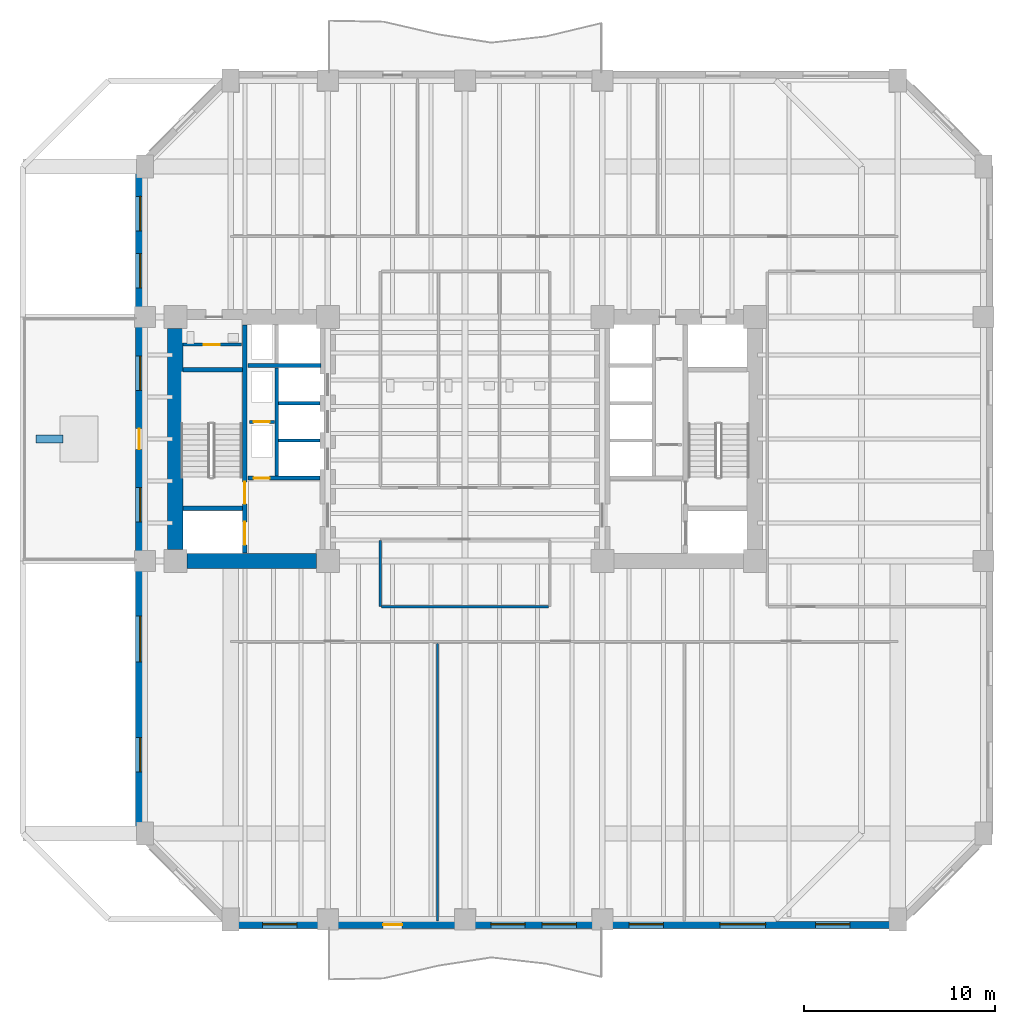
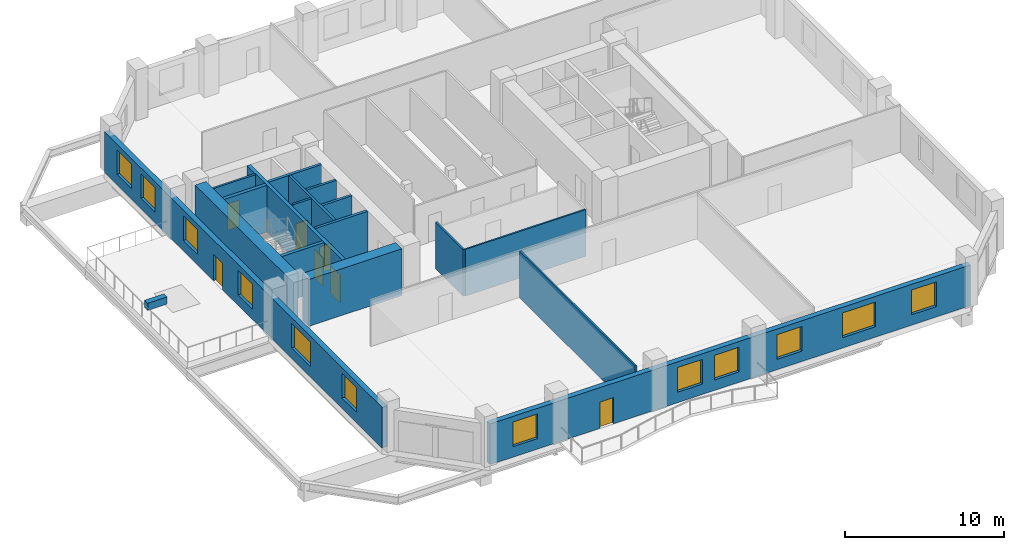
# One storey, part 3 of 11: 18 walls, 12 windows, 7 doors, 19 openings.
"""IFC4 building model written with IfcOpenShell, lengths in metres."""

import ifcopenshell
import ifcopenshell.guid

model = None  # the IFC model being written
_history = None  # IfcOwnerHistory: only IFC2X3 demands one
_inside = {}  # id of a spatial element -> (the spatial element, [elements in it])
_under = {}  # id of a project, library or spatial element -> (it, [spatial elements below it])
_declared = {}  # id of a project -> (the project, [libraries it declares])
_typed = {}  # id of a type object -> (the type object, [elements of that type])
_made_of = {}  # id of a material, layer set ... -> (it, [elements and type objects made of it])


def new_model(schema):
    """Start an empty IFC model of exactly this schema.

    Asked for "IFC4X3", IfcOpenShell would pick the latest addendum, in which some entities
    have other attributes; the version numbers below select the first issue.
    IFC2X3 requires an IfcOwnerHistory on every rooted entity: one is made here for all.
    """
    global model, _history
    if schema == "IFC4X3":
        model = ifcopenshell.file(schema_version=(4, 3, 0, 0))
    else:
        model = ifcopenshell.file(schema=schema)
    _inside.clear()
    _under.clear()
    _declared.clear()
    _typed.clear()
    _made_of.clear()
    _history = None
    if model.schema == "IFC2X3":
        org = make("IfcOrganization", Name="unknown")
        user = make(
            "IfcPersonAndOrganization",
            ThePerson=make("IfcPerson", FamilyName="unknown"),
            TheOrganization=org,
        )
        app = make(
            "IfcApplication",
            ApplicationDeveloper=org,
            Version="unknown",
            ApplicationFullName="unknown",
            ApplicationIdentifier="unknown",
        )
        _history = make(
            "IfcOwnerHistory",
            OwningUser=user,
            OwningApplication=app,
            ChangeAction="ADDED",
            CreationDate=0,
        )
    return model


def make(cls, **values):
    """One entity of the class cls with the attributes given. An attribute that is None is left unset."""
    return model.create_entity(
        cls, **{name: value for name, value in values.items() if value is not None}
    )


def rooted(cls, **values):
    """An entity with a GlobalId (a new one), such as an element, a storey or a relation."""
    return make(cls, GlobalId=ifcopenshell.guid.new(), OwnerHistory=_history, **values)


def si_unit(unit_type, name, prefix=None):
    """IfcSIUnit, for example si_unit("LENGTHUNIT", "METRE", prefix="MILLI")."""
    return make("IfcSIUnit", UnitType=unit_type, Prefix=prefix, Name=name)


def assignment(units):
    """IfcUnitAssignment: the units of a project."""
    return None if units is None else make("IfcUnitAssignment", Units=units)


def point(xyz):
    """IfcCartesianPoint."""
    return None if xyz is None else make("IfcCartesianPoint", Coordinates=xyz)


def direction(xyz):
    """IfcDirection."""
    return None if xyz is None else make("IfcDirection", DirectionRatios=xyz)


def frame(location, z_axis=None, x_axis=None):
    """IfcAxis2Placement3D, a coordinate frame: its origin and axes. An axis left out is left unset."""
    return make(
        "IfcAxis2Placement3D",
        Location=point(location),
        Axis=direction(z_axis),
        RefDirection=direction(x_axis),
    )


def frame_2d(location, x_axis=None):
    """IfcAxis2Placement2D, a coordinate frame in the plane: its origin and x axis."""
    return make(
        "IfcAxis2Placement2D", Location=point(location), RefDirection=direction(x_axis)
    )


def origin():
    """The frame at (0, 0, 0) with its axes left unset."""
    return frame((0.0, 0.0, 0.0))


def place(relative_to, where):
    """IfcLocalPlacement: puts the frame where relative to a parent placement (None: the world)."""
    return make(
        "IfcLocalPlacement", PlacementRelTo=relative_to, RelativePlacement=where
    )


def context(
    kind, dimensions, precision=None, world=None, true_north=None, identifier=None
):
    """IfcGeometricRepresentationContext, for example the 3D "Model" context."""
    return make(
        "IfcGeometricRepresentationContext",
        ContextIdentifier=identifier,
        ContextType=kind,
        CoordinateSpaceDimension=dimensions,
        Precision=precision,
        WorldCoordinateSystem=world,
        TrueNorth=true_north,
    )


def subcontext(parent, identifier, kind, view, scale=None):
    """IfcGeometricRepresentationSubContext, for example "Body" below "Model"."""
    return make(
        "IfcGeometricRepresentationSubContext",
        ContextIdentifier=identifier,
        ContextType=kind,
        ParentContext=parent,
        TargetScale=scale,
        TargetView=view,
    )


def project(units=None, contexts=None):
    """IfcProject with its units and contexts."""
    return rooted(
        "IfcProject",
        Name="project",
        RepresentationContexts=contexts,
        UnitsInContext=assignment(units),
    )


def spatial(cls, under=None, at=None, **own):
    """A site, building, storey or space (cls), placed at a placement, below another one or the project."""
    s = rooted(cls, ObjectPlacement=at, **own)
    if under is not None:
        _under.setdefault(under.id(), (under, []))[1].append(s)
    return s


def profile(cls, at=None, kind="AREA", **sizes):
    """A parametric profile (cls). Its sizes go by their IFC names, for example OverallWidth=200.0."""
    return make(cls, ProfileType=kind, Position=at, **sizes)


def rectangle(**sizes):
    """IfcRectangleProfileDef."""
    return profile("IfcRectangleProfileDef", **sizes)


def extrude(swept, where, along, depth):
    """IfcExtrudedAreaSolid: the profile swept, set in the frame where, extruded along a direction by depth."""
    return make(
        "IfcExtrudedAreaSolid",
        SweptArea=swept,
        Position=where,
        ExtrudedDirection=direction(along),
        Depth=depth,
    )


def shape(context_of_items, identifier, shape_type, items):
    """IfcShapeRepresentation: the items that make up one representation, for example the "Body"."""
    return make(
        "IfcShapeRepresentation",
        ContextOfItems=context_of_items,
        RepresentationIdentifier=identifier,
        RepresentationType=shape_type,
        Items=items,
    )


def material(Name=None, Category=None):
    """IfcMaterial."""
    return make("IfcMaterial", Name=Name, Category=Category)


def layer(
    of_material, thickness, ventilated=None, Name=None, Category=None, Priority=None
):
    """IfcMaterialLayer: one layer of a wall or slab, of a material (None: an air gap)."""
    return make(
        "IfcMaterialLayer",
        Material=of_material,
        LayerThickness=thickness,
        IsVentilated=ventilated,
        Name=Name,
        Category=Category,
        Priority=Priority,
    )


def layer_set(layers, Name=None):
    """IfcMaterialLayerSet."""
    return make("IfcMaterialLayerSet", MaterialLayers=layers, LayerSetName=Name)


def made_of(thing, what):
    """Note that an element or type object is made of a material, layer set ...; save() writes the relation."""
    if what is not None:
        _made_of.setdefault(what.id(), (what, []))[1].append(thing)
    return thing


def type_object(cls, material=None, **own):
    """A type object (cls), such as IfcWallType, which elements share."""
    return made_of(rooted(cls, **own), material)


def element(
    cls,
    number,
    at=None,
    inside=None,
    cuts=None,
    type_object=None,
    material=None,
    context=None,
    identifier="Body",
    shape_type=None,
    held_by="IfcProductDefinitionShape",
    body=None,
    shapes=None,
    **own,
):
    """One element of the class cls, such as IfcWall. Its Tag is "e" and its number.

    at: its placement. inside: the storey or other place that contains it. cuts: it is an
    opening in that element (IfcRelVoidsElement). A single representation is given by context,
    identifier, shape_type and body (its items); several are given by shapes. held_by: the class
    of the entity that holds the representations. save() writes the other relations.
    """
    e = rooted(cls, Tag="e%d" % number, ObjectPlacement=at, **own)
    if body is not None:
        shapes = [shape(context, identifier, shape_type, body)]
    if shapes is not None:
        e.Representation = make(held_by, Representations=shapes)
    if inside is not None:
        _inside.setdefault(inside.id(), (inside, []))[1].append(e)
    if cuts is not None:
        rooted(
            "IfcRelVoidsElement", RelatingBuildingElement=cuts, RelatedOpeningElement=e
        )
    if type_object is not None:
        _typed.setdefault(type_object.id(), (type_object, []))[1].append(e)
    return made_of(e, material)


def fill(opening, filler):
    """IfcRelFillsElement: the door or window that sits in an opening."""
    return rooted(
        "IfcRelFillsElement",
        RelatingOpeningElement=opening,
        RelatedBuildingElement=filler,
    )


def aggregate(whole, parts):
    """IfcRelAggregates: a whole, such as a stair, and the parts it consists of."""
    return rooted("IfcRelAggregates", RelatingObject=whole, RelatedObjects=parts)


def save(model, path):
    """Write the relations noted so far, then the file.

    IfcRelAggregates (storeys below a building ...), IfcRelContainedInSpatialStructure (elements
    in a storey), IfcRelDefinesByType, IfcRelAssociatesMaterial and IfcRelDeclares: one each for
    every whole, place, type object, material and project.
    """
    for whole, parts in _under.values():
        aggregate(whole, parts)
    for where, things in _inside.values():
        rooted(
            "IfcRelContainedInSpatialStructure",
            RelatedElements=things,
            RelatingStructure=where,
        )
    for kind, things in _typed.values():
        rooted("IfcRelDefinesByType", RelatedObjects=things, RelatingType=kind)
    for what, things in _made_of.values():
        rooted("IfcRelAssociatesMaterial", RelatedObjects=things, RelatingMaterial=what)
    for by, libraries in _declared.values():
        rooted("IfcRelDeclares", RelatingContext=by, RelatedDefinitions=libraries)
    model.write(path)


model = new_model("IFC4")

# Units and contexts
model_context = context("Model", 3, precision=1e-05, world=origin(), true_north=direction((0.0, 1.0)))
body_context = subcontext(model_context, "Body", "Model", "MODEL_VIEW")
ifc_project = project(units=[si_unit("LENGTHUNIT", "METRE"), si_unit("AREAUNIT", "SQUARE_METRE"), si_unit("VOLUMEUNIT", "CUBIC_METRE"), si_unit("PLANEANGLEUNIT", "RADIAN"), si_unit("MASSUNIT", "GRAM", prefix="KILO")], contexts=[model_context])

# Site, building, storey
site_placement = place(None, origin())
site = spatial("IfcSite", under=ifc_project, at=site_placement, CompositionType="ELEMENT")
building_placement = place(site_placement, origin())
building = spatial("IfcBuilding", under=site, at=building_placement, Name="Kranthara Brick Stack", CompositionType="ELEMENT")
storey_placement = place(building_placement, frame((0.0, 0.0, 47.699951171875)))
storey = spatial("IfcBuildingStorey", under=building, at=storey_placement, Name="L11", CompositionType="ELEMENT", Elevation=47.699951171875)

# Wall, openings, door, windows
ifc_material_1 = material(Name="Kiln-fired clay brick masonry M15", Category="masonry")
ifc_layer_1 = layer(ifc_material_1, 0.3798828125)
ifc_layer_set_1 = layer_set([ifc_layer_1], Name="Kiln-fired clay brick masonry M15")
wall_type_1 = type_object("IfcWallType", Name="WL-BRK-PIER-380", PredefinedType="STANDARD", material=ifc_layer_set_1)
wall_1_placement = place(storey_placement, frame((50.699951171875, 1.7099609375, 0.0), z_axis=(0.0, 0.0, 1.0), x_axis=(-1.0, 0.0, 0.0)))
wall_1 = element("IfcWall", 1, at=wall_1_placement, inside=storey, type_object=wall_type_1, Name="L11 Exterior Brick Facade Wall SOUTH 1", PredefinedType="STANDARD", context=body_context, shape_type="SweptSolid", body=[
    extrude(rectangle(XDim=35.0, YDim=0.3798828125, at=frame_2d((17.5, 0.0))), origin(), (0.0, 0.0, 1.0), 3.135009765625),
])
opening_1_placement = place(wall_1_placement, frame((26.0, 0.0, 0.0)))
opening_1 = element("IfcOpeningElement", 2, at=opening_1_placement, cuts=wall_1, Name="Opening D03", PredefinedType="OPENING", context=body_context, shape_type="SweptSolid", body=[
    extrude(rectangle(XDim=1.0, YDim=2.02001953125, at=frame_2d((0.5, 1.010009765625))), frame((0.0, 0.199951171875, 0.0), z_axis=(0.0, -1.0, 0.0), x_axis=(1.0, 0.0, 0.0)), (0.0, 0.0, 1.0), 0.39990234375),
])
opening_2_placement = place(wall_1_placement, frame((2.510986328125, 0.0, 0.800048828125)))
opening_2 = element("IfcOpeningElement", 3, at=opening_2_placement, cuts=wall_1, Name="Opening WN01", PredefinedType="OPENING", context=body_context, shape_type="SweptSolid", body=[
    extrude(rectangle(XDim=1.800048828125, YDim=1.89990234375, at=frame_2d((0.89990234375, 0.949951171875))), frame((0.0, 0.199951171875, 0.0), z_axis=(0.0, -1.0, 0.0), x_axis=(1.0, 0.0, 0.0)), (0.0, 0.0, 1.0), 0.39990234375),
])
opening_3_placement = place(wall_1_placement, frame((6.93896484375, 0.0, 0.800048828125)))
opening_3 = element("IfcOpeningElement", 4, at=opening_3_placement, cuts=wall_1, Name="Opening WN02", PredefinedType="OPENING", context=body_context, shape_type="SweptSolid", body=[
    extrude(rectangle(XDim=2.39990234375, YDim=1.89990234375, at=frame_2d((1.199951171875, 0.949951171875))), frame((0.0, 0.199951171875, 0.0), z_axis=(0.0, -1.0, 0.0), x_axis=(1.0, 0.0, 0.0)), (0.0, 0.0, 1.0), 0.39990234375),
])
opening_4_placement = place(wall_1_placement, frame((12.300048828125, 0.0, 0.800048828125)))
opening_4 = element("IfcOpeningElement", 5, at=opening_4_placement, cuts=wall_1, Name="Opening WN01", PredefinedType="OPENING", context=body_context, shape_type="SweptSolid", body=[
    extrude(rectangle(XDim=1.800048828125, YDim=1.89990234375, at=frame_2d((0.89990234375, 0.949951171875))), frame((0.0, 0.199951171875, 0.0), z_axis=(0.0, -1.0, 0.0), x_axis=(1.0, 0.0, 0.0)), (0.0, 0.0, 1.0), 0.39990234375),
])
opening_5_placement = place(wall_1_placement, frame((16.85595703125, 0.0, 0.800048828125)))
opening_5 = element("IfcOpeningElement", 6, at=opening_5_placement, cuts=wall_1, Name="Opening WN01", PredefinedType="OPENING", context=body_context, shape_type="SweptSolid", body=[
    extrude(rectangle(XDim=1.800048828125, YDim=1.89990234375, at=frame_2d((0.89990234375, 0.949951171875))), frame((0.0, 0.199951171875, 0.0), z_axis=(0.0, -1.0, 0.0), x_axis=(1.0, 0.0, 0.0)), (0.0, 0.0, 1.0), 0.39990234375),
])
opening_6_placement = place(wall_1_placement, frame((19.5439453125, 0.0, 0.800048828125)))
opening_6 = element("IfcOpeningElement", 7, at=opening_6_placement, cuts=wall_1, Name="Opening WN01", PredefinedType="OPENING", context=body_context, shape_type="SweptSolid", body=[
    extrude(rectangle(XDim=1.800048828125, YDim=1.89990234375, at=frame_2d((0.89990234375, 0.949951171875))), frame((0.0, 0.199951171875, 0.0), z_axis=(0.0, -1.0, 0.0), x_axis=(1.0, 0.0, 0.0)), (0.0, 0.0, 1.0), 0.39990234375),
])
opening_7_placement = place(wall_1_placement, frame((31.52490234375, 0.0, 0.800048828125)))
opening_7 = element("IfcOpeningElement", 8, at=opening_7_placement, cuts=wall_1, Name="Opening WN01", PredefinedType="OPENING", context=body_context, shape_type="SweptSolid", body=[
    extrude(rectangle(XDim=1.800048828125, YDim=1.89990234375, at=frame_2d((0.89990234375, 0.949951171875))), frame((0.0, 0.199951171875, 0.0), z_axis=(0.0, -1.0, 0.0), x_axis=(1.0, 0.0, 0.0)), (0.0, 0.0, 1.0), 0.39990234375),
])
ifc_material_2 = material(Name="Bronze anodised aluminium and laminated glass", Category="aluminium")
door_type_1 = type_object("IfcDoorType", Name="DR-BALC-1000", OperationType="NOTDEFINED", PredefinedType="DOOR", material=ifc_material_2)
door_1_placement = place(opening_1_placement, origin())
door_1 = element("IfcDoor", 9, at=door_1_placement, inside=storey, type_object=door_type_1, Name="L11 South Balcony Terrace Door", OperationType="SINGLE_SWING_LEFT", OverallHeight=2.02001953125, OverallWidth=1.0, PredefinedType="DOOR", context=body_context, shape_type="SweptSolid", body=[
    extrude(rectangle(XDim=1.0, YDim=2.02001953125, at=frame_2d((0.5, 1.010009765625))), frame((0.0, 0.02490234375, 0.0), z_axis=(0.0, -1.0, 0.0), x_axis=(1.0, 0.0, 0.0)), (0.0, 0.0, 1.0), 0.050048828125),
])
fill(opening_1, door_1)
ifc_material_3 = material(Name="Double-glazed low-E solar control glass", Category="glass")
window_type_1 = type_object("IfcWindowType", Name="WN-OFF-1800x2000", PartitioningType="SINGLE_PANEL", PredefinedType="WINDOW", material=ifc_material_3)
window_1_placement = place(opening_2_placement, origin())
window_1 = element("IfcWindow", 10, at=window_1_placement, inside=storey, type_object=window_type_1, Name="L11 South Deep-Set Brick Window 01", OverallHeight=1.89990234375, OverallWidth=1.800048828125, PartitioningType="SINGLE_PANEL", PredefinedType="WINDOW", context=body_context, shape_type="SweptSolid", body=[
    extrude(rectangle(XDim=1.800048828125, YDim=1.89990234375, at=frame_2d((0.89990234375, 0.949951171875))), frame((0.0, -0.010009765625, 0.0), z_axis=(0.0, -1.0, 0.0), x_axis=(1.0, 0.0, 0.0)), (0.0, 0.0, 1.0), 0.06005859375),
])
fill(opening_2, window_1)
window_2_placement = place(opening_4_placement, origin())
window_2 = element("IfcWindow", 11, at=window_2_placement, inside=storey, type_object=window_type_1, Name="L11 South Deep-Set Brick Window 03", OverallHeight=1.89990234375, OverallWidth=1.800048828125, PartitioningType="SINGLE_PANEL", PredefinedType="WINDOW", context=body_context, shape_type="SweptSolid", body=[
    extrude(rectangle(XDim=1.800048828125, YDim=1.89990234375, at=frame_2d((0.89990234375, 0.949951171875))), frame((0.0, -0.010009765625, 0.0), z_axis=(0.0, -1.0, 0.0), x_axis=(1.0, 0.0, 0.0)), (0.0, 0.0, 1.0), 0.06005859375),
])
fill(opening_4, window_2)
window_3_placement = place(opening_5_placement, origin())
window_3 = element("IfcWindow", 12, at=window_3_placement, inside=storey, type_object=window_type_1, Name="L11 South Deep-Set Brick Window 04", OverallHeight=1.89990234375, OverallWidth=1.800048828125, PartitioningType="SINGLE_PANEL", PredefinedType="WINDOW", context=body_context, shape_type="SweptSolid", body=[
    extrude(rectangle(XDim=1.800048828125, YDim=1.89990234375, at=frame_2d((0.89990234375, 0.949951171875))), frame((0.0, -0.010009765625, 0.0), z_axis=(0.0, -1.0, 0.0), x_axis=(1.0, 0.0, 0.0)), (0.0, 0.0, 1.0), 0.06005859375),
])
fill(opening_5, window_3)
window_4_placement = place(opening_6_placement, origin())
window_4 = element("IfcWindow", 13, at=window_4_placement, inside=storey, type_object=window_type_1, Name="L11 South Deep-Set Brick Window 05", OverallHeight=1.89990234375, OverallWidth=1.800048828125, PartitioningType="SINGLE_PANEL", PredefinedType="WINDOW", context=body_context, shape_type="SweptSolid", body=[
    extrude(rectangle(XDim=1.800048828125, YDim=1.89990234375, at=frame_2d((0.89990234375, 0.949951171875))), frame((0.0, -0.010009765625, 0.0), z_axis=(0.0, -1.0, 0.0), x_axis=(1.0, 0.0, 0.0)), (0.0, 0.0, 1.0), 0.06005859375),
])
fill(opening_6, window_4)
window_5_placement = place(opening_7_placement, origin())
window_5 = element("IfcWindow", 14, at=window_5_placement, inside=storey, type_object=window_type_1, Name="L11 South Deep-Set Brick Window 06", OverallHeight=1.89990234375, OverallWidth=1.800048828125, PartitioningType="SINGLE_PANEL", PredefinedType="WINDOW", context=body_context, shape_type="SweptSolid", body=[
    extrude(rectangle(XDim=1.800048828125, YDim=1.89990234375, at=frame_2d((0.89990234375, 0.949951171875))), frame((0.0, -0.010009765625, 0.0), z_axis=(0.0, -1.0, 0.0), x_axis=(1.0, 0.0, 0.0)), (0.0, 0.0, 1.0), 0.06005859375),
])
fill(opening_7, window_5)
ifc_material_4 = material(Name="Double-glazed low-E solar control glass", Category="glass")
window_type_2 = type_object("IfcWindowType", Name="WN-OFF-2400x2000", PartitioningType="DOUBLE_PANEL_VERTICAL", PredefinedType="WINDOW", material=ifc_material_4)
window_6_placement = place(opening_3_placement, origin())
window_6 = element("IfcWindow", 15, at=window_6_placement, inside=storey, type_object=window_type_2, Name="L11 South Deep-Set Brick Window 02", OverallHeight=1.89990234375, OverallWidth=2.39990234375, PartitioningType="SINGLE_PANEL", PredefinedType="WINDOW", context=body_context, shape_type="SweptSolid", body=[
    extrude(rectangle(XDim=2.39990234375, YDim=1.89990234375, at=frame_2d((1.199951171875, 0.949951171875))), frame((0.0, -0.010009765625, 0.0), z_axis=(0.0, -1.0, 0.0), x_axis=(1.0, 0.0, 0.0)), (0.0, 0.0, 1.0), 0.06005859375),
])
fill(opening_3, window_6)

wall_2_placement = place(storey_placement, frame((10.909912109375, 6.5, 0.0), z_axis=(0.0, 0.0, 1.0), x_axis=(0.0, 1.0, 0.0)))
wall_2 = element("IfcWall", 16, at=wall_2_placement, inside=storey, type_object=wall_type_1, Name="L11 Exterior Brick Facade Wall WEST 1", PredefinedType="STANDARD", context=body_context, shape_type="SweptSolid", body=[
    extrude(rectangle(XDim=35.0, YDim=0.3798828125, at=frame_2d((17.5, 0.0))), origin(), (0.0, 0.0, 1.0), 3.135009765625),
])
opening_8_placement = place(wall_2_placement, frame((20.14990234375, 0.0, 0.0)))
opening_8 = element("IfcOpeningElement", 17, at=opening_8_placement, cuts=wall_2, Name="Opening D02", PredefinedType="OPENING", context=body_context, shape_type="SweptSolid", body=[
    extrude(rectangle(XDim=1.10009765625, YDim=2.050048828125, at=frame_2d((0.550048828125, 1.02490234375))), frame((0.0, 0.199951171875, 0.0), z_axis=(0.0, -1.0, 0.0), x_axis=(1.0, 0.0, 0.0)), (0.0, 0.0, 1.0), 0.39990234375),
])
opening_9_placement = place(wall_2_placement, frame((3.239013671875, 0.0, 0.800048828125)))
opening_9 = element("IfcOpeningElement", 18, at=opening_9_placement, cuts=wall_2, Name="Opening WN01", PredefinedType="OPENING", context=body_context, shape_type="SweptSolid", body=[
    extrude(rectangle(XDim=1.800048828125, YDim=1.89990234375, at=frame_2d((0.89990234375, 0.949951171875))), frame((0.0, 0.199951171875, 0.0), z_axis=(0.0, -1.0, 0.0), x_axis=(1.0, 0.0, 0.0)), (0.0, 0.0, 1.0), 0.39990234375),
])
opening_10_placement = place(wall_2_placement, frame((9.010986328125, 0.0, 0.800048828125)))
opening_10 = element("IfcOpeningElement", 19, at=opening_10_placement, cuts=wall_2, Name="Opening WN02", PredefinedType="OPENING", context=body_context, shape_type="SweptSolid", body=[
    extrude(rectangle(XDim=2.39990234375, YDim=1.89990234375, at=frame_2d((1.199951171875, 0.949951171875))), frame((0.0, 0.199951171875, 0.0), z_axis=(0.0, -1.0, 0.0), x_axis=(1.0, 0.0, 0.0)), (0.0, 0.0, 1.0), 0.39990234375),
])
opening_11_placement = place(wall_2_placement, frame((16.35009765625, 0.0, 0.800048828125)))
opening_11 = element("IfcOpeningElement", 20, at=opening_11_placement, cuts=wall_2, Name="Opening WN01", PredefinedType="OPENING", context=body_context, shape_type="SweptSolid", body=[
    extrude(rectangle(XDim=1.800048828125, YDim=1.89990234375, at=frame_2d((0.89990234375, 0.949951171875))), frame((0.0, 0.199951171875, 0.0), z_axis=(0.0, -1.0, 0.0), x_axis=(1.0, 0.0, 0.0)), (0.0, 0.0, 1.0), 0.39990234375),
])
opening_12_placement = place(wall_2_placement, frame((23.25, 0.0, 0.800048828125)))
opening_12 = element("IfcOpeningElement", 21, at=opening_12_placement, cuts=wall_2, Name="Opening WN01", PredefinedType="OPENING", context=body_context, shape_type="SweptSolid", body=[
    extrude(rectangle(XDim=1.800048828125, YDim=1.89990234375, at=frame_2d((0.89990234375, 0.949951171875))), frame((0.0, 0.199951171875, 0.0), z_axis=(0.0, -1.0, 0.0), x_axis=(1.0, 0.0, 0.0)), (0.0, 0.0, 1.0), 0.39990234375),
])
opening_13_placement = place(wall_2_placement, frame((28.625, 0.0, 0.800048828125)))
opening_13 = element("IfcOpeningElement", 22, at=opening_13_placement, cuts=wall_2, Name="Opening WN01", PredefinedType="OPENING", context=body_context, shape_type="SweptSolid", body=[
    extrude(rectangle(XDim=1.800048828125, YDim=1.89990234375, at=frame_2d((0.89990234375, 0.949951171875))), frame((0.0, 0.199951171875, 0.0), z_axis=(0.0, -1.0, 0.0), x_axis=(1.0, 0.0, 0.0)), (0.0, 0.0, 1.0), 0.39990234375),
])
opening_14_placement = place(wall_2_placement, frame((31.625, 0.0, 0.800048828125)))
opening_14 = element("IfcOpeningElement", 23, at=opening_14_placement, cuts=wall_2, Name="Opening WN01", PredefinedType="OPENING", context=body_context, shape_type="SweptSolid", body=[
    extrude(rectangle(XDim=1.800048828125, YDim=1.89990234375, at=frame_2d((0.89990234375, 0.949951171875))), frame((0.0, 0.199951171875, 0.0), z_axis=(0.0, -1.0, 0.0), x_axis=(1.0, 0.0, 0.0)), (0.0, 0.0, 1.0), 0.39990234375),
])
ifc_material_5 = material(Name="Bronze anodised aluminium and laminated glass", Category="aluminium")
door_type_2 = type_object("IfcDoorType", Name="DR-TERR-1100", OperationType="NOTDEFINED", PredefinedType="DOOR", material=ifc_material_5)
door_2_placement = place(opening_8_placement, origin())
door_2 = element("IfcDoor", 24, at=door_2_placement, inside=storey, type_object=door_type_2, Name="L11 Planted Sky Garden Terrace Door", OperationType="SINGLE_SWING_LEFT", OverallHeight=2.050048828125, OverallWidth=1.10009765625, PredefinedType="DOOR", context=body_context, shape_type="SweptSolid", body=[
    extrude(rectangle(XDim=1.10009765625, YDim=2.050048828125, at=frame_2d((0.550048828125, 1.02490234375))), frame((0.0, 0.02490234375, 0.0), z_axis=(0.0, -1.0, 0.0), x_axis=(1.0, 0.0, 0.0)), (0.0, 0.0, 1.0), 0.050048828125),
])
fill(opening_8, door_2)
window_7_placement = place(opening_9_placement, origin())
window_7 = element("IfcWindow", 25, at=window_7_placement, inside=storey, type_object=window_type_1, Name="L11 West Deep-Set Brick Window 01", OverallHeight=1.89990234375, OverallWidth=1.800048828125, PartitioningType="SINGLE_PANEL", PredefinedType="WINDOW", context=body_context, shape_type="SweptSolid", body=[
    extrude(rectangle(XDim=1.800048828125, YDim=1.89990234375, at=frame_2d((0.89990234375, 0.949951171875))), frame((0.0, -0.010009765625, 0.0), z_axis=(0.0, -1.0, 0.0), x_axis=(1.0, 0.0, 0.0)), (0.0, 0.0, 1.0), 0.06005859375),
])
fill(opening_9, window_7)
window_8_placement = place(opening_11_placement, origin())
window_8 = element("IfcWindow", 26, at=window_8_placement, inside=storey, type_object=window_type_1, Name="L11 West Deep-Set Brick Window 03", OverallHeight=1.89990234375, OverallWidth=1.800048828125, PartitioningType="SINGLE_PANEL", PredefinedType="WINDOW", context=body_context, shape_type="SweptSolid", body=[
    extrude(rectangle(XDim=1.800048828125, YDim=1.89990234375, at=frame_2d((0.89990234375, 0.949951171875))), frame((0.0, -0.010009765625, 0.0), z_axis=(0.0, -1.0, 0.0), x_axis=(1.0, 0.0, 0.0)), (0.0, 0.0, 1.0), 0.06005859375),
])
fill(opening_11, window_8)
window_9_placement = place(opening_12_placement, origin())
window_9 = element("IfcWindow", 27, at=window_9_placement, inside=storey, type_object=window_type_1, Name="L11 West Deep-Set Brick Window 04", OverallHeight=1.89990234375, OverallWidth=1.800048828125, PartitioningType="SINGLE_PANEL", PredefinedType="WINDOW", context=body_context, shape_type="SweptSolid", body=[
    extrude(rectangle(XDim=1.800048828125, YDim=1.89990234375, at=frame_2d((0.89990234375, 0.949951171875))), frame((0.0, -0.010009765625, 0.0), z_axis=(0.0, -1.0, 0.0), x_axis=(1.0, 0.0, 0.0)), (0.0, 0.0, 1.0), 0.06005859375),
])
fill(opening_12, window_9)
window_10_placement = place(opening_13_placement, origin())
window_10 = element("IfcWindow", 28, at=window_10_placement, inside=storey, type_object=window_type_1, Name="L11 West Deep-Set Brick Window 05", OverallHeight=1.89990234375, OverallWidth=1.800048828125, PartitioningType="SINGLE_PANEL", PredefinedType="WINDOW", context=body_context, shape_type="SweptSolid", body=[
    extrude(rectangle(XDim=1.800048828125, YDim=1.89990234375, at=frame_2d((0.89990234375, 0.949951171875))), frame((0.0, -0.010009765625, 0.0), z_axis=(0.0, -1.0, 0.0), x_axis=(1.0, 0.0, 0.0)), (0.0, 0.0, 1.0), 0.06005859375),
])
fill(opening_13, window_10)
window_11_placement = place(opening_14_placement, origin())
window_11 = element("IfcWindow", 29, at=window_11_placement, inside=storey, type_object=window_type_1, Name="L11 West Deep-Set Brick Window 06", OverallHeight=1.89990234375, OverallWidth=1.800048828125, PartitioningType="SINGLE_PANEL", PredefinedType="WINDOW", context=body_context, shape_type="SweptSolid", body=[
    extrude(rectangle(XDim=1.800048828125, YDim=1.89990234375, at=frame_2d((0.89990234375, 0.949951171875))), frame((0.0, -0.010009765625, 0.0), z_axis=(0.0, -1.0, 0.0), x_axis=(1.0, 0.0, 0.0)), (0.0, 0.0, 1.0), 0.06005859375),
])
fill(opening_14, window_11)
window_12_placement = place(opening_10_placement, origin())
window_12 = element("IfcWindow", 30, at=window_12_placement, inside=storey, type_object=window_type_2, Name="L11 West Deep-Set Brick Window 02", OverallHeight=1.89990234375, OverallWidth=2.39990234375, PartitioningType="SINGLE_PANEL", PredefinedType="WINDOW", context=body_context, shape_type="SweptSolid", body=[
    extrude(rectangle(XDim=2.39990234375, YDim=1.89990234375, at=frame_2d((1.199951171875, 0.949951171875))), frame((0.0, -0.010009765625, 0.0), z_axis=(0.0, -1.0, 0.0), x_axis=(1.0, 0.0, 0.0)), (0.0, 0.0, 1.0), 0.06005859375),
])
fill(opening_10, window_12)

# Wall, openings, doors
ifc_material_6 = material(Name="Concrete C50/60", Category="concrete")
ifc_layer_2 = layer(ifc_material_6, 0.25)
ifc_layer_set_2 = layer_set([ifc_layer_2], Name="Concrete C50/60")
wall_type_2 = type_object("IfcWallType", Name="WL-CORE-250", PredefinedType="SHEAR", material=ifc_layer_set_2)
wall_3_placement = place(storey_placement, frame((16.43505859375, 21.2099609375, 0.0), z_axis=(0.0, 0.0, 1.0), x_axis=(0.0, 1.0, 0.0)))
wall_3 = element("IfcWall", 31, at=wall_3_placement, inside=storey, type_object=wall_type_2, Name="L11 West Core Stair Bearing Spine Wall", PredefinedType="SHEAR", context=body_context, shape_type="SweptSolid", body=[
    extrude(rectangle(XDim=11.97998046875, YDim=0.25, at=frame_2d((5.989990234375, 0.0))), origin(), (0.0, 0.0, 1.0), 3.60009765625),
])
opening_15_placement = place(wall_3_placement, frame((0.43994140625, 0.0, 0.0)))
opening_15 = element("IfcOpeningElement", 32, at=opening_15_placement, cuts=wall_3, Name="Opening LD01", PredefinedType="OPENING", context=body_context, shape_type="SweptSolid", body=[
    extrude(rectangle(XDim=1.199951171875, YDim=2.14990234375, at=frame_2d((0.60009765625, 1.074951171875))), frame((0.0, 0.135009765625, 0.0), z_axis=(0.0, -1.0, 0.0), x_axis=(1.0, 0.0, 0.0)), (0.0, 0.0, 1.0), 0.27001953125),
])
opening_16_placement = place(wall_3_placement, frame((2.590087890625, 0.0, 0.0)))
opening_16 = element("IfcOpeningElement", 33, at=opening_16_placement, cuts=wall_3, Name="Opening D05", PredefinedType="OPENING", context=body_context, shape_type="SweptSolid", body=[
    extrude(rectangle(XDim=1.14990234375, YDim=2.14990234375, at=frame_2d((0.574951171875, 1.074951171875))), frame((0.0, 0.135009765625, 0.0), z_axis=(0.0, -1.0, 0.0), x_axis=(1.0, 0.0, 0.0)), (0.0, 0.0, 1.0), 0.27001953125),
])
ifc_material_7 = material(Name="Stainless steel sliding landing door", Category="steel")
door_type_3 = type_object("IfcDoorType", Name="DR-LD-FF1200", OperationType="DOUBLE_DOOR_SLIDING", PredefinedType="DOOR", material=ifc_material_7)
door_3_placement = place(opening_15_placement, origin())
door_3 = element("IfcDoor", 34, at=door_3_placement, inside=storey, type_object=door_type_3, Name="L11 Firefighting Lift FF-01 Landing Door", OperationType="DOUBLE_DOOR_SLIDING", OverallHeight=2.14990234375, OverallWidth=1.199951171875, PredefinedType="DOOR", context=body_context, shape_type="SweptSolid", body=[
    extrude(rectangle(XDim=1.199951171875, YDim=2.14990234375, at=frame_2d((0.60009765625, 1.074951171875))), frame((0.0, 0.02490234375, 0.0), z_axis=(0.0, -1.0, 0.0), x_axis=(1.0, 0.0, 0.0)), (0.0, 0.0, 1.0), 0.050048828125),
])
fill(opening_15, door_3)
ifc_material_8 = material(Name="Solid-core hardwood timber leaf in steel frame", Category="steel")
door_type_4 = type_object("IfcDoorType", Name="DR-ST-1150", OperationType="NOTDEFINED", PredefinedType="DOOR", material=ifc_material_8)
door_4_placement = place(opening_16_placement, origin())
door_4 = element("IfcDoor", 35, at=door_4_placement, inside=storey, type_object=door_type_4, Name="L11 Exit Stair ST01 Door", OperationType="SINGLE_SWING_RIGHT", OverallHeight=2.14990234375, OverallWidth=1.14990234375, PredefinedType="DOOR", context=body_context, shape_type="SweptSolid", body=[
    extrude(rectangle(XDim=1.14990234375, YDim=2.14990234375, at=frame_2d((0.574951171875, 1.074951171875))), frame((0.0, 0.02490234375, 0.0), z_axis=(0.0, -1.0, 0.0), x_axis=(1.0, 0.0, 0.0)), (0.0, 0.0, 1.0), 0.050048828125),
])
fill(opening_16, door_4)

# Walls
for number, where, z_axis, x_axis, name in (
    (36, (13.2099609375, 23.570068359375, 0.0), (0.0, 0.0, 1.0), (1.0, 0.0, 0.0), "L11 West Stairwell Bearing Wall WFF"),
    (37, (13.2099609375, 30.830078125, 0.0), (0.0, 0.0, 1.0), (1.0, 0.0, 0.0), "L11 West Stairwell Bearing Wall WST"),
):
    element("IfcWall", number, at=place(storey_placement, frame(where, z_axis=z_axis, x_axis=x_axis)), inside=storey, type_object=wall_type_2, Name=name, PredefinedType="SHEAR", context=body_context, shape_type="SweptSolid", body=[
        extrude(rectangle(XDim=3.10009765625, YDim=0.25, at=frame_2d((1.550048828125, 0.0))), origin(), (0.0, 0.0, 1.0), 3.60009765625),
    ])
ifc_material_9 = material(Name="Concrete C70/85", Category="concrete")
ifc_layer_3 = layer(ifc_material_9, 0.800048828125)
ifc_layer_set_3 = layer_set([ifc_layer_3], Name="Concrete C70/85")
wall_type_3 = type_object("IfcWallType", Name="WL-CORE-800", PredefinedType="SHEAR", material=ifc_layer_set_3)
wall_4_placement = place(storey_placement, frame((12.800048828125, 21.405029296875, 0.0), z_axis=(0.0, 0.0, 1.0), x_axis=(0.0, 1.0, 0.0)))
element("IfcWall", 38, at=wall_4_placement, inside=storey, type_object=wall_type_3, Name="L11 West Core Shear Wall West", PredefinedType="SHEAR", context=body_context, shape_type="SweptSolid", body=[
    extrude(rectangle(XDim=11.590087890625, YDim=0.800048828125, at=frame_2d((5.794921875, 0.0))), origin(), (0.0, 0.0, 1.0), 3.60009765625),
])
wall_5_placement = place(storey_placement, frame((13.405029296875, 20.800048828125, 0.0), z_axis=(0.0, 0.0, 1.0), x_axis=(1.0, 0.0, 0.0)))
element("IfcWall", 39, at=wall_5_placement, inside=storey, type_object=wall_type_3, Name="L11 West Core Shear Wall South", PredefinedType="SHEAR", context=body_context, shape_type="SweptSolid", body=[
    extrude(rectangle(XDim=6.7900390625, YDim=0.800048828125, at=frame_2d((3.39501953125, 0.0))), origin(), (0.0, 0.0, 1.0), 3.60009765625),
])
ifc_material_10 = material(Name="Acoustic gypsum plasterboard partition", Category="other")
ifc_layer_4 = layer(ifc_material_10, 0.1201171875)
ifc_layer_set_4 = layer_set([ifc_layer_4], Name="Acoustic gypsum plasterboard partition")
wall_type_4 = type_object("IfcWallType", Name="WL-PART-120", PredefinedType="PARTITIONING", material=ifc_layer_set_4)
wall_6_placement = place(storey_placement, frame((23.550048828125, 18.39990234375, 0.0), z_axis=(0.0, 0.0, 1.0), x_axis=(0.0, 1.0, 0.0)))
element("IfcWall", 40, at=wall_6_placement, inside=storey, type_object=wall_type_4, Name="L11 Interior Partition 012", PredefinedType="PARTITIONING", context=body_context, shape_type="SweptSolid", body=[
    extrude(rectangle(XDim=3.485107421875, YDim=0.1201171875, at=frame_2d((1.74267578125, 0.0))), origin(), (0.0, 0.0, 1.0), 3.60009765625),
])
wall_7_placement = place(storey_placement, frame((23.614990234375, 18.39990234375, 0.0), z_axis=(0.0, 0.0, 1.0), x_axis=(1.0, 0.0, 0.0)))
element("IfcWall", 41, at=wall_7_placement, inside=storey, type_object=wall_type_4, Name="L11 Interior Partition 014", PredefinedType="PARTITIONING", context=body_context, shape_type="SweptSolid", body=[
    extrude(rectangle(XDim=8.77001953125, YDim=0.1201171875, at=frame_2d((4.385009765625, 0.0))), origin(), (0.0, 0.0, 1.0), 3.60009765625),
])
wall_8_placement = place(storey_placement, frame((26.550048828125, 1.905029296875, 0.0), z_axis=(0.0, 0.0, 1.0), x_axis=(0.0, 1.0, 0.0)))
element("IfcWall", 42, at=wall_8_placement, inside=storey, type_object=wall_type_4, Name="L11 Interior Partition 016", PredefinedType="PARTITIONING", context=body_context, shape_type="SweptSolid", body=[
    extrude(rectangle(XDim=14.574951171875, YDim=0.1201171875, at=frame_2d((7.28759765625, 0.0))), origin(), (0.0, 0.0, 1.0), 3.60009765625),
])

# Wall, opening, door
ifc_material_11 = material(Name="Fire-rated gypsum board partition", Category="other")
ifc_layer_5 = layer(ifc_material_11, 0.14990234375)
ifc_layer_set_5 = layer_set([ifc_layer_5], Name="Fire-rated gypsum board partition")
wall_type_5 = type_object("IfcWallType", Name="WL-PART-150", PredefinedType="PARTITIONING", material=ifc_layer_set_5)
wall_9_placement = place(storey_placement, frame((13.205078125, 32.14990234375, 0.0), z_axis=(0.0, 0.0, 1.0), x_axis=(1.0, 0.0, 0.0)))
wall_9 = element("IfcWall", 43, at=wall_9_placement, inside=storey, type_object=wall_type_5, Name="L11 Interior Partition 001", PredefinedType="PARTITIONING", context=body_context, shape_type="SweptSolid", body=[
    extrude(rectangle(XDim=3.074951171875, YDim=0.14990234375, at=frame_2d((1.53759765625, 0.0))), origin(), (0.0, 0.0, 1.0), 3.60009765625),
])
opening_17_placement = place(wall_9_placement, frame((1.074951171875, 0.0, 0.0)))
opening_17 = element("IfcOpeningElement", 44, at=opening_17_placement, cuts=wall_9, Name="Opening D10", PredefinedType="OPENING", context=body_context, shape_type="SweptSolid", body=[
    extrude(rectangle(XDim=0.85009765625, YDim=2.02001953125, at=frame_2d((0.425048828125, 1.010009765625))), frame((0.0, 0.0849609375, 0.0), z_axis=(0.0, -1.0, 0.0), x_axis=(1.0, 0.0, 0.0)), (0.0, 0.0, 1.0), 0.169921875),
])
ifc_material_12 = material(Name="Solid-core hardwood timber leaf in steel frame", Category="steel")
door_type_5 = type_object("IfcDoorType", Name="DR-RSR-850", OperationType="NOTDEFINED", PredefinedType="DOOR", material=ifc_material_12)
door_5_placement = place(opening_17_placement, origin())
door_5 = element("IfcDoor", 45, at=door_5_placement, inside=storey, type_object=door_type_5, Name="L11 West Inner Riser Door 01", OperationType="SINGLE_SWING_LEFT", OverallHeight=2.02001953125, OverallWidth=0.85009765625, PredefinedType="DOOR", context=body_context, shape_type="SweptSolid", body=[
    extrude(rectangle(XDim=0.85009765625, YDim=2.02001953125, at=frame_2d((0.425048828125, 1.010009765625))), frame((0.0, 0.02490234375, 0.0), z_axis=(0.0, -1.0, 0.0), x_axis=(1.0, 0.0, 0.0)), (0.0, 0.0, 1.0), 0.050048828125),
])
fill(opening_17, door_5)

wall_10_placement = place(storey_placement, frame((16.679931640625, 28.10009765625, 0.0), z_axis=(0.0, 0.0, 1.0), x_axis=(1.0, 0.0, 0.0)))
wall_10 = element("IfcWall", 46, at=wall_10_placement, inside=storey, type_object=wall_type_5, Name="L11 Interior Partition 004", PredefinedType="PARTITIONING", context=body_context, shape_type="SweptSolid", body=[
    extrude(rectangle(XDim=1.320068359375, YDim=0.14990234375, at=frame_2d((0.66015625, 0.0))), origin(), (0.0, 0.0, 1.0), 3.60009765625),
])
opening_18_placement = place(wall_10_placement, frame((0.219970703125, 0.0, 0.0)))
opening_18 = element("IfcOpeningElement", 47, at=opening_18_placement, cuts=wall_10, Name="Opening D10", PredefinedType="OPENING", context=body_context, shape_type="SweptSolid", body=[
    extrude(rectangle(XDim=0.85009765625, YDim=2.02001953125, at=frame_2d((0.425048828125, 1.010009765625))), frame((0.0, 0.0849609375, 0.0), z_axis=(0.0, -1.0, 0.0), x_axis=(1.0, 0.0, 0.0)), (0.0, 0.0, 1.0), 0.169921875),
])
door_6_placement = place(opening_18_placement, origin())
door_6 = element("IfcDoor", 48, at=door_6_placement, inside=storey, type_object=door_type_5, Name="L11 Riser Split Door 04", OperationType="SINGLE_SWING_RIGHT", OverallHeight=2.02001953125, OverallWidth=0.85009765625, PredefinedType="DOOR", context=body_context, shape_type="SweptSolid", body=[
    extrude(rectangle(XDim=0.85009765625, YDim=2.02001953125, at=frame_2d((0.425048828125, 1.010009765625))), frame((0.0, 0.02490234375, 0.0), z_axis=(0.0, -1.0, 0.0), x_axis=(1.0, 0.0, 0.0)), (0.0, 0.0, 1.0), 0.050048828125),
])
fill(opening_18, door_6)

# Walls
ifc_material_13 = material(Name="Gypsum plasterboard on acoustic twin stud", Category="other")
ifc_layer_6 = layer(ifc_material_13, 0.179931640625)
ifc_layer_set_6 = layer_set([ifc_layer_6], Name="Gypsum plasterboard on acoustic twin stud")
wall_type_6 = type_object("IfcWallType", Name="WL-PART-180", PredefinedType="PARTITIONING", material=ifc_layer_set_6)
wall_11_placement = place(storey_placement, frame((18.1201171875, 25.27001953125, 0.0), z_axis=(0.0, 0.0, 1.0), x_axis=(0.0, 1.0, 0.0)))
element("IfcWall", 49, at=wall_11_placement, inside=storey, type_object=wall_type_6, Name="L11 West Hoistway Wall WBK", PredefinedType="PARTITIONING", context=body_context, shape_type="SweptSolid", body=[
    extrude(rectangle(XDim=5.659912109375, YDim=0.179931640625, at=frame_2d((2.830078125, 0.0))), origin(), (0.0, 0.0, 1.0), 3.60009765625),
])
for number, where, z_axis, x_axis, name in (
    (50, (18.219970703125, 27.1201171875, 0.0), (0.0, 0.0, 1.0), (1.0, 0.0, 0.0), "L11 West Hoistway Wall WH1"),
    (51, (18.219970703125, 29.080078125, 0.0), (0.0, 0.0, 1.0), (1.0, 0.0, 0.0), "L11 West Hoistway Wall WH2"),
):
    element("IfcWall", number, at=place(storey_placement, frame(where, z_axis=z_axis, x_axis=x_axis)), inside=storey, type_object=wall_type_6, Name=name, PredefinedType="PARTITIONING", context=body_context, shape_type="SweptSolid", body=[
        extrude(rectangle(XDim=2.169921875, YDim=0.179931640625, at=frame_2d((1.0849609375, 0.0))), origin(), (0.0, 0.0, 1.0), 3.60009765625),
    ])

# Wall, opening, door
ifc_material_14 = material(Name="Concrete C40/50", Category="concrete")
ifc_layer_7 = layer(ifc_material_14, 0.199951171875)
ifc_layer_set_7 = layer_set([ifc_layer_7], Name="Concrete C40/50")
wall_type_7 = type_object("IfcWallType", Name="WL-PART-200", PredefinedType="SOLIDWALL", material=ifc_layer_set_7)
wall_12_placement = place(storey_placement, frame((16.60009765625, 25.14990234375, 0.0), z_axis=(0.0, 0.0, 1.0), x_axis=(1.0, 0.0, 0.0)))
wall_12 = element("IfcWall", 52, at=wall_12_placement, inside=storey, type_object=wall_type_7, Name="L11 West Core Cross Wall WFL", PredefinedType="SOLIDWALL", context=body_context, shape_type="SweptSolid", body=[
    extrude(rectangle(XDim=3.789794921875, YDim=0.199951171875, at=frame_2d((1.89501953125, 0.0))), origin(), (0.0, 0.0, 1.0), 3.60009765625),
])
opening_19_placement = place(wall_12_placement, frame((0.300048828125, 0.0, 0.0)))
opening_19 = element("IfcOpeningElement", 53, at=opening_19_placement, cuts=wall_12, Name="Opening D10", PredefinedType="OPENING", context=body_context, shape_type="SweptSolid", body=[
    extrude(rectangle(XDim=0.85009765625, YDim=2.02001953125, at=frame_2d((0.425048828125, 1.010009765625))), frame((0.0, 0.10986328125, 0.0), z_axis=(0.0, -1.0, 0.0), x_axis=(1.0, 0.0, 0.0)), (0.0, 0.0, 1.0), 0.219970703125),
])
door_7_placement = place(opening_19_placement, origin())
door_7 = element("IfcDoor", 54, at=door_7_placement, inside=storey, type_object=door_type_5, Name="L11 Mechanical Riser Access Door", OperationType="SINGLE_SWING_LEFT", OverallHeight=2.02001953125, OverallWidth=0.85009765625, PredefinedType="DOOR", context=body_context, shape_type="SweptSolid", body=[
    extrude(rectangle(XDim=0.85009765625, YDim=2.02001953125, at=frame_2d((0.425048828125, 1.010009765625))), frame((0.0, 0.02490234375, 0.0), z_axis=(0.0, -1.0, 0.0), x_axis=(1.0, 0.0, 0.0)), (0.0, 0.0, 1.0), 0.050048828125),
])
fill(opening_19, door_7)

# Walls
wall_13_placement = place(storey_placement, frame((16.60009765625, 31.050048828125, 0.0), z_axis=(0.0, 0.0, 1.0), x_axis=(1.0, 0.0, 0.0)))
element("IfcWall", 55, at=wall_13_placement, inside=storey, type_object=wall_type_7, Name="L11 West Core Cross Wall WH4", PredefinedType="SOLIDWALL", context=body_context, shape_type="SweptSolid", body=[
    extrude(rectangle(XDim=3.849853515625, YDim=0.199951171875, at=frame_2d((1.9248046875, 0.0))), origin(), (0.0, 0.0, 1.0), 3.60009765625),
])
ifc_material_15 = material(Name="Precast concrete C40/50", Category="concrete")
ifc_layer_8 = layer(ifc_material_15, 0.219970703125)
ifc_layer_set_8 = layer_set([ifc_layer_8], Name="Precast concrete C40/50")
wall_type_8 = type_object("IfcWallType", Name="WL-PLN-KERB-220", PredefinedType="PARAPET", material=ifc_layer_set_8)
wall_14_placement = place(storey_placement, frame((5.5, 27.199951171875, 0.0), z_axis=(0.0, 0.0, 1.0), x_axis=(1.0, 0.0, 0.0)))
element("IfcWall", 56, at=wall_14_placement, inside=storey, type_object=wall_type_8, Name="L11 Sky Garden Planted Planter Bed", PredefinedType="PARAPET", context=body_context, shape_type="SweptSolid", body=[
    extrude(rectangle(XDim=1.39990234375, YDim=0.39990234375, at=frame_2d((0.699951171875, 0.0))), origin(), (0.0, 0.0, 1.0), 0.550048828125),
])

save(model, "model.ifc")
